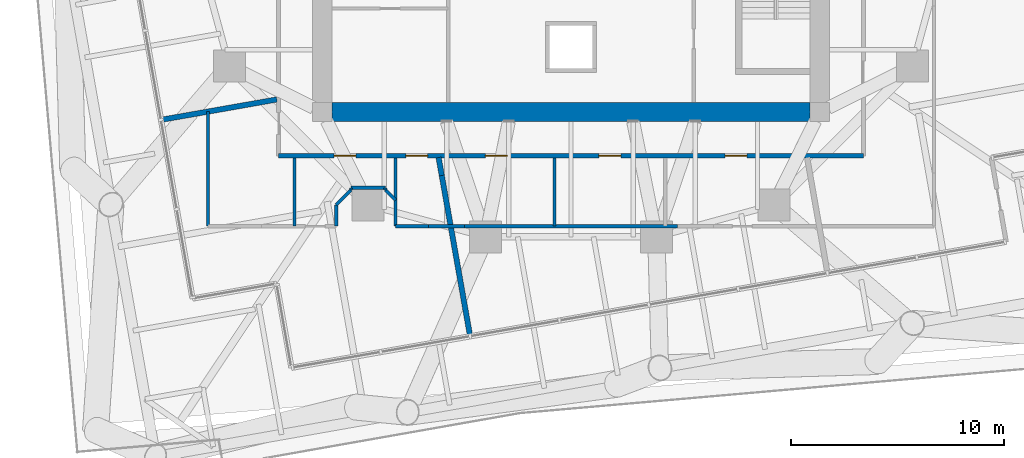
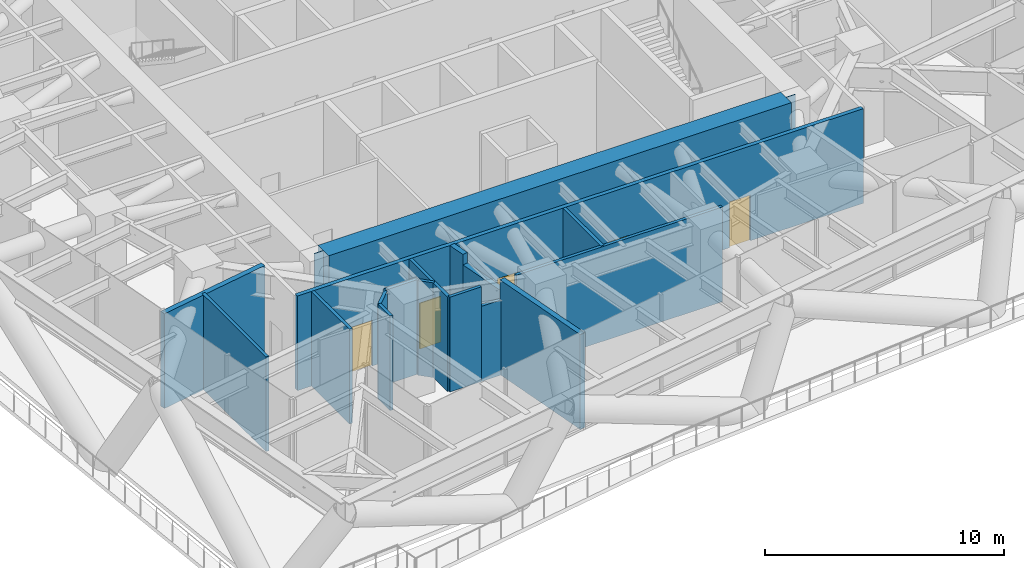
# One storey, part 9 of 15: 19 walls, 5 doors, 5 openings.
"""IFC4 building model written with IfcOpenShell, lengths in metres."""

from ifc_helpers import new_model, si_unit, direction, frame, frame_2d, origin, place, context, subcontext, project, spatial, polyline, rectangle, outline, extrude, material, layer, layer_set, type_object, element, fill, save


model = new_model("IFC4")

# Units and contexts
model_context = context("Model", 3, precision=1e-05, world=origin(), true_north=direction((0.0, 1.0)))
body_context = subcontext(model_context, "Body", "Model", "MODEL_VIEW")
ifc_project = project(units=[si_unit("LENGTHUNIT", "METRE"), si_unit("AREAUNIT", "SQUARE_METRE"), si_unit("VOLUMEUNIT", "CUBIC_METRE"), si_unit("PLANEANGLEUNIT", "RADIAN"), si_unit("MASSUNIT", "GRAM", prefix="KILO")], contexts=[model_context])

# Site, building, storey
site_placement = place(None, origin())
site = spatial("IfcSite", under=ifc_project, at=site_placement, CompositionType="ELEMENT")
building_placement = place(site_placement, origin())
building = spatial("IfcBuilding", under=site, at=building_placement, Name="Torsade Residences", CompositionType="ELEMENT")
storey_placement = place(building_placement, frame((0.0, 0.0, 74.39990234375)))
storey = spatial("IfcBuildingStorey", under=building, at=storey_placement, Name="L20", CompositionType="ELEMENT", Elevation=74.39990234375)

# Wall
ifc_material_1 = material(Name="Concrete 80 MPa", Category="concrete")
ifc_layer_1 = layer(ifc_material_1, 0.89990234375)
ifc_layer_set_1 = layer_set([ifc_layer_1], Name="Concrete 80 MPa")
wall_type_1 = type_object("IfcWallType", Name="CORE WALL 900", PredefinedType="SHEAR", material=ifc_layer_set_1)
wall_1_placement = place(storey_placement, frame((51.199951171875, 18.35009765625, 0.0), z_axis=(0.0, 0.0, 1.0), x_axis=(-1.0, 0.0, 0.0)))
element("IfcWall", 1, at=wall_1_placement, inside=storey, type_object=wall_type_1, Name="Core wall S L20", PredefinedType="SHEAR", context=body_context, shape_type="SweptSolid", body=[
    extrude(outline(polyline([(0.0, -0.449951171875), (22.39990234375, -0.449951171875), (22.39990234375, -0.02490234375), (22.849853515625, -0.02490234375), (22.849853515625, 0.02490234375), (22.39990234375, 0.02490234375), (22.39990234375, 0.449951171875), (0.0, 0.449951171875), (0.0, 0.02490234375), (-0.449951171875, 0.02490234375), (-0.449951171875, -0.02490234375), (0.0, -0.02490234375), (0.0, -0.449951171875)])), origin(), (0.0, 0.0, 1.0), 5.0),
])

# Wall, openings, doors
ifc_material_2 = material(Name="Plasterboard on steel stud", Category="steel")
ifc_layer_2 = layer(ifc_material_2, 0.199951171875)
ifc_layer_set_2 = layer_set([ifc_layer_2], Name="Plasterboard on steel stud")
wall_type_2 = type_object("IfcWallType", Name="CORRIDOR WALL 200", PredefinedType="PARTITIONING", material=ifc_layer_set_2)
wall_2_placement = place(storey_placement, frame((26.300048828125, 16.300048828125, 0.0), z_axis=(0.0, 0.0, 1.0), x_axis=(1.0, 0.0, 0.0)))
wall_2 = element("IfcWall", 2, at=wall_2_placement, inside=storey, type_object=wall_type_2, Name="Corridor wall L20", PredefinedType="PARTITIONING", context=body_context, shape_type="SweptSolid", body=[
    extrude(rectangle(XDim=27.39990234375, YDim=0.199951171875, at=frame_2d((13.699951171875, 0.0))), origin(), (0.0, 0.0, 1.0), 4.85009765625),
])
opening_1_placement = place(wall_2_placement, frame((20.91552734375, 0.0, 0.0)))
opening_1 = element("IfcOpeningElement", 3, at=opening_1_placement, cuts=wall_2, Name="Opening D01", PredefinedType="OPENING", context=body_context, shape_type="SweptSolid", body=[
    extrude(rectangle(XDim=1.02001953125, YDim=2.340087890625, at=frame_2d((0.510009765625, 1.169921875))), frame((0.0, 0.10986328125, 0.0), z_axis=(0.0, -1.0, 0.0), x_axis=(1.0, 0.0, 0.0)), (0.0, 0.0, 1.0), 0.219970703125),
])
opening_2_placement = place(wall_2_placement, frame((9.683837890625, 0.0, 0.0)))
opening_2 = element("IfcOpeningElement", 4, at=opening_2_placement, cuts=wall_2, Name="Opening D01", PredefinedType="OPENING", context=body_context, shape_type="SweptSolid", body=[
    extrude(rectangle(XDim=1.02001953125, YDim=2.340087890625, at=frame_2d((0.510009765625, 1.169921875))), frame((0.0, 0.10986328125, 0.0), z_axis=(0.0, -1.0, 0.0), x_axis=(1.0, 0.0, 0.0)), (0.0, 0.0, 1.0), 0.219970703125),
])
opening_3_placement = place(wall_2_placement, frame((15.01123046875, 0.0, 0.0)))
opening_3 = element("IfcOpeningElement", 5, at=opening_3_placement, cuts=wall_2, Name="Opening D01", PredefinedType="OPENING", context=body_context, shape_type="SweptSolid", body=[
    extrude(rectangle(XDim=1.02001953125, YDim=2.340087890625, at=frame_2d((0.510009765625, 1.169921875))), frame((0.0, 0.10986328125, 0.0), z_axis=(0.0, -1.0, 0.0), x_axis=(1.0, 0.0, 0.0)), (0.0, 0.0, 1.0), 0.219970703125),
])
opening_4_placement = place(wall_2_placement, frame((2.60400390625, 0.0, 0.0)))
opening_4 = element("IfcOpeningElement", 6, at=opening_4_placement, cuts=wall_2, Name="Opening D01", PredefinedType="OPENING", context=body_context, shape_type="SweptSolid", body=[
    extrude(rectangle(XDim=1.02001953125, YDim=2.340087890625, at=frame_2d((0.510009765625, 1.169921875))), frame((0.0, 0.10986328125, 0.0), z_axis=(0.0, -1.0, 0.0), x_axis=(1.0, 0.0, 0.0)), (0.0, 0.0, 1.0), 0.219970703125),
])
opening_5_placement = place(wall_2_placement, frame((5.9677734375, 0.0, 0.0)))
opening_5 = element("IfcOpeningElement", 7, at=opening_5_placement, cuts=wall_2, Name="Opening D01", PredefinedType="OPENING", context=body_context, shape_type="SweptSolid", body=[
    extrude(rectangle(XDim=1.02001953125, YDim=2.340087890625, at=frame_2d((0.510009765625, 1.169921875))), frame((0.0, 0.10986328125, 0.0), z_axis=(0.0, -1.0, 0.0), x_axis=(1.0, 0.0, 0.0)), (0.0, 0.0, 1.0), 0.219970703125),
])
ifc_material_3 = material(Name="Solid-core timber fire door", Category="wood")
door_type = type_object("IfcDoorType", Name="APARTMENT ENTRY DOOR 1020x2340", OperationType="NOTDEFINED", PredefinedType="DOOR", material=ifc_material_3)
door_1_placement = place(opening_1_placement, origin())
door_1 = element("IfcDoor", 8, at=door_1_placement, inside=storey, type_object=door_type, Name="Door Plant corridor to Service lobby", OperationType="SINGLE_SWING_RIGHT", OverallHeight=2.340087890625, OverallWidth=1.02001953125, PredefinedType="DOOR", context=body_context, shape_type="SweptSolid", body=[
    extrude(rectangle(XDim=1.02001953125, YDim=2.340087890625, at=frame_2d((0.510009765625, 1.169921875))), frame((0.0, 0.02490234375, 0.0), z_axis=(0.0, -1.0, 0.0), x_axis=(1.0, 0.0, 0.0)), (0.0, 0.0, 1.0), 0.050048828125),
])
fill(opening_1, door_1)
door_2_placement = place(opening_2_placement, origin())
door_2 = element("IfcDoor", 9, at=door_2_placement, inside=storey, type_object=door_type, Name="Door Plant corridor to Plant cupboard", OperationType="SINGLE_SWING_LEFT", OverallHeight=2.340087890625, OverallWidth=1.02001953125, PredefinedType="DOOR", context=body_context, shape_type="SweptSolid", body=[
    extrude(rectangle(XDim=1.02001953125, YDim=2.340087890625, at=frame_2d((0.510009765625, 1.169921875))), frame((0.0, 0.02490234375, 0.0), z_axis=(0.0, -1.0, 0.0), x_axis=(1.0, 0.0, 0.0)), (0.0, 0.0, 1.0), 0.050048828125),
])
fill(opening_2, door_2)
door_3_placement = place(opening_3_placement, origin())
door_3 = element("IfcDoor", 10, at=door_3_placement, inside=storey, type_object=door_type, Name="Door Plant corridor to Store", OperationType="SINGLE_SWING_RIGHT", OverallHeight=2.340087890625, OverallWidth=1.02001953125, PredefinedType="DOOR", context=body_context, shape_type="SweptSolid", body=[
    extrude(rectangle(XDim=1.02001953125, YDim=2.340087890625, at=frame_2d((0.510009765625, 1.169921875))), frame((0.0, 0.02490234375, 0.0), z_axis=(0.0, -1.0, 0.0), x_axis=(1.0, 0.0, 0.0)), (0.0, 0.0, 1.0), 0.050048828125),
])
fill(opening_3, door_3)
door_4_placement = place(opening_4_placement, origin())
door_4 = element("IfcDoor", 11, at=door_4_placement, inside=storey, type_object=door_type, Name="Door Plant corridor to Service lobby", OperationType="SINGLE_SWING_LEFT", OverallHeight=2.340087890625, OverallWidth=1.02001953125, PredefinedType="DOOR", context=body_context, shape_type="SweptSolid", body=[
    extrude(rectangle(XDim=1.02001953125, YDim=2.340087890625, at=frame_2d((0.510009765625, 1.169921875))), frame((0.0, 0.02490234375, 0.0), z_axis=(0.0, -1.0, 0.0), x_axis=(1.0, 0.0, 0.0)), (0.0, 0.0, 1.0), 0.050048828125),
])
fill(opening_4, door_4)
door_5_placement = place(opening_5_placement, origin())
door_5 = element("IfcDoor", 12, at=door_5_placement, inside=storey, type_object=door_type, Name="Door Plant corridor to Store", OperationType="SINGLE_SWING_RIGHT", OverallHeight=2.340087890625, OverallWidth=1.02001953125, PredefinedType="DOOR", context=body_context, shape_type="SweptSolid", body=[
    extrude(rectangle(XDim=1.02001953125, YDim=2.340087890625, at=frame_2d((0.510009765625, 1.169921875))), frame((0.0, 0.02490234375, 0.0), z_axis=(0.0, -1.0, 0.0), x_axis=(1.0, 0.0, 0.0)), (0.0, 0.0, 1.0), 0.050048828125),
])
fill(opening_5, door_5)

# Walls
ifc_material_4 = material(Name="Masonry-lined stud party wall", Category="masonry")
ifc_layer_3 = layer(ifc_material_4, 0.25)
ifc_layer_set_3 = layer_set([ifc_layer_3], Name="Masonry-lined stud party wall")
wall_type_3 = type_object("IfcWallType", Name="PARTY WALL 250", PredefinedType="PARTITIONING", material=ifc_layer_set_3)
wall_3_placement = place(storey_placement, frame((35.275634765625, 7.843017578125, 0.0), z_axis=(0.0, 0.0, 1.0), x_axis=(-0.173615529166, 0.984813509266, 0.0)))
element("IfcWall", 13, at=wall_3_placement, inside=storey, type_object=wall_type_3, Name="Party wall L20", PredefinedType="PARTITIONING", context=body_context, shape_type="SweptSolid", body=[
    extrude(rectangle(XDim=5.24951171875, YDim=0.25, at=frame_2d((2.624755859375, 0.0))), origin(), (0.0, 0.0, 1.0), 4.85009765625),
])
wall_4_placement = place(storey_placement, frame((34.3642578125, 13.0126953125, 0.0), z_axis=(0.0, 0.0, 1.0), x_axis=(-0.17362866226, 0.984811193906, 0.0)))
element("IfcWall", 14, at=wall_4_placement, inside=storey, type_object=wall_type_3, Name="Party wall L20", PredefinedType="PARTITIONING", context=body_context, shape_type="SweptSolid", body=[
    extrude(rectangle(XDim=2.400146484375, YDim=0.25, at=frame_2d((1.2001953125, 0.0))), origin(), (0.0, 0.0, 1.0), 4.322021484375),
])
wall_5_placement = place(storey_placement, frame((33.947509765625, 15.37646484375, 0.0), z_axis=(0.0, 0.0, 1.0), x_axis=(-0.173752728326, 0.984789312188, 0.0)))
element("IfcWall", 15, at=wall_5_placement, inside=storey, type_object=wall_type_3, Name="Party wall L20", PredefinedType="PARTITIONING", context=body_context, shape_type="SweptSolid", body=[
    extrude(rectangle(XDim=0.854248046875, YDim=0.25, at=frame_2d((0.42724609375, 0.0))), origin(), (0.0, 0.0, 1.0), 4.85009765625),
])
wall_6_placement = place(storey_placement, frame((20.795166015625, 17.982421875, 0.0), z_axis=(0.0, 0.0, 1.0), x_axis=(0.984803192417, 0.173674040102, 0.0)))
element("IfcWall", 16, at=wall_6_placement, inside=storey, type_object=wall_type_3, Name="Party wall L20", PredefinedType="PARTITIONING", context=body_context, shape_type="SweptSolid", body=[
    extrude(rectangle(XDim=5.50634765625, YDim=0.25, at=frame_2d((2.753173828125, 0.0))), origin(), (0.0, 0.0, 1.0), 4.85009765625),
])
ifc_material_5 = material(Name="Reinforced blockwork", Category="masonry")
ifc_layer_4 = layer(ifc_material_5, 0.14990234375)
ifc_layer_set_4 = layer_set([ifc_layer_4], Name="Reinforced blockwork")
wall_type_4 = type_object("IfcWallType", Name="SERVICE ROOM WALL 150", PredefinedType="SOLIDWALL", material=ifc_layer_set_4)
for number, where, z_axis, x_axis, name in (
    (17, (27.04296875, 13.0, 0.0), (0.0, 0.0, 1.0), (0.0, 1.0, 0.0), "Service room wall L20"),
    (18, (31.784912109375, 16.199951171875, 0.0), (0.0, 0.0, 1.0), (0.0, -1.0, 0.0), "Service room wall L20"),
):
    element("IfcWall", number, at=place(storey_placement, frame(where, z_axis=z_axis, x_axis=x_axis)), inside=storey, type_object=wall_type_4, Name=name, PredefinedType="SOLIDWALL", context=body_context, shape_type="SweptSolid", body=[
        extrude(rectangle(XDim=3.199951171875, YDim=0.14990234375, at=frame_2d((1.60009765625, 0.0))), origin(), (0.0, 0.0, 1.0), 4.85009765625),
    ])
wall_7_placement = place(storey_placement, frame((31.784912109375, 14.215087890625, 0.0), z_axis=(0.0, 0.0, 1.0), x_axis=(-0.707106781187, 0.707106781187, 0.0)))
element("IfcWall", 19, at=wall_7_placement, inside=storey, type_object=wall_type_4, Name="Service room wall L20", PredefinedType="SOLIDWALL", context=body_context, shape_type="SweptSolid", body=[
    extrude(rectangle(XDim=0.685791015625, YDim=0.14990234375, at=frame_2d((0.3427734375, 0.0))), origin(), (0.0, 0.0, 1.0), 4.85009765625),
])
wall_8_placement = place(storey_placement, frame((31.300048828125, 14.800048828125, 0.0), z_axis=(0.0, 0.0, 1.0), x_axis=(-1.0, 0.0, 0.0)))
element("IfcWall", 20, at=wall_8_placement, inside=storey, type_object=wall_type_4, Name="Service room wall L20", PredefinedType="SOLIDWALL", context=body_context, shape_type="SweptSolid", body=[
    extrude(rectangle(XDim=1.60009765625, YDim=0.14990234375, at=frame_2d((0.800048828125, 0.0))), origin(), (0.0, 0.0, 1.0), 4.85009765625),
])
wall_9_placement = place(storey_placement, frame((29.699951171875, 14.699951171875, 0.0), z_axis=(0.0, 0.0, 1.0), x_axis=(-0.707106781187, -0.707106781187, 0.0)))
element("IfcWall", 21, at=wall_9_placement, inside=storey, type_object=wall_type_4, Name="Service room wall L20", PredefinedType="SOLIDWALL", context=body_context, shape_type="SweptSolid", body=[
    extrude(rectangle(XDim=0.989990234375, YDim=0.14990234375, at=frame_2d((0.4951171875, 0.0))), origin(), (0.0, 0.0, 1.0), 4.85009765625),
])
wall_10_placement = place(storey_placement, frame((29.0, 14.0, 0.0), z_axis=(0.0, 0.0, 1.0), x_axis=(0.0, -1.0, 0.0)))
element("IfcWall", 22, at=wall_10_placement, inside=storey, type_object=wall_type_4, Name="Service room wall L20", PredefinedType="SOLIDWALL", context=body_context, shape_type="SweptSolid", body=[
    extrude(rectangle(XDim=1.0, YDim=0.14990234375, at=frame_2d((0.5, 0.0))), origin(), (0.0, 0.0, 1.0), 4.85009765625),
])
wall_11_placement = place(storey_placement, frame((23.0, 13.0, 0.0), z_axis=(0.0, 0.0, 1.0), x_axis=(0.0, 1.0, 0.0)))
element("IfcWall", 23, at=wall_11_placement, inside=storey, type_object=wall_type_4, Name="Service room wall L20", PredefinedType="SOLIDWALL", context=body_context, shape_type="SweptSolid", body=[
    extrude(rectangle(XDim=5.371337890625, YDim=0.14990234375, at=frame_2d((2.685546875, 0.0))), origin(), (0.0, 0.0, 1.0), 4.85009765625),
])
wall_12_placement = place(storey_placement, frame((44.98828125, 13.0, 0.0), z_axis=(0.0, 0.0, 1.0), x_axis=(-1.0, 0.0, 0.0)))
element("IfcWall", 24, at=wall_12_placement, inside=storey, type_object=wall_type_4, Name="Service room wall L20", PredefinedType="SOLIDWALL", context=body_context, shape_type="SweptSolid", body=[
    extrude(rectangle(XDim=9.9765625, YDim=0.14990234375, at=frame_2d((4.98828125, 0.0))), origin(), (0.0, 0.0, 1.0), 4.85009765625),
])
wall_13_placement = place(storey_placement, frame((35.01171875, 13.0, 0.0), z_axis=(0.0, 0.0, 1.0), x_axis=(-1.0, 0.0, 0.0)))
element("IfcWall", 25, at=wall_13_placement, inside=storey, type_object=wall_type_4, Name="Service room wall L20", PredefinedType="SOLIDWALL", context=body_context, shape_type="SweptSolid", body=[
    extrude(rectangle(XDim=1.690185546875, YDim=0.14990234375, at=frame_2d((0.84521484375, 0.0))), origin(), (0.0, 0.0, 1.0), 3.85009765625),
])
wall_14_placement = place(storey_placement, frame((33.321533203125, 13.0, 0.0), z_axis=(0.0, 0.0, 1.0), x_axis=(-1.0, 0.0, 0.0)))
element("IfcWall", 26, at=wall_14_placement, inside=storey, type_object=wall_type_4, Name="Service room wall L20", PredefinedType="SOLIDWALL", context=body_context, shape_type="SweptSolid", body=[
    extrude(rectangle(XDim=1.53662109375, YDim=0.14990234375, at=frame_2d((0.768310546875, 0.0))), origin(), (0.0, 0.0, 1.0), 4.85009765625),
])
wall_15_placement = place(storey_placement, frame((39.224609375, 16.199951171875, 0.0), z_axis=(0.0, 0.0, 1.0), x_axis=(0.0, -1.0, 0.0)))
element("IfcWall", 27, at=wall_15_placement, inside=storey, type_object=wall_type_4, Name="Service room wall L20", PredefinedType="SOLIDWALL", context=body_context, shape_type="SweptSolid", body=[
    extrude(rectangle(XDim=3.199951171875, YDim=0.14990234375, at=frame_2d((1.60009765625, 0.0))), origin(), (0.0, 0.0, 1.0), 4.85009765625),
])
for number, where, z_axis, x_axis, name in (
    (28, (31.300048828125, 14.800048828125, 0.0), (0.0, 0.0, 1.0), (0.0, -1.0, 0.0), "Service room wall L20"),
    (29, (29.699951171875, 14.800048828125, 0.0), (0.0, 0.0, 1.0), (0.0, -1.0, 0.0), "Service room wall L20"),
):
    element("IfcWall", number, at=place(storey_placement, frame(where, z_axis=z_axis, x_axis=x_axis)), inside=storey, type_object=wall_type_4, Name=name, PredefinedType="SOLIDWALL", context=body_context, shape_type="SweptSolid", body=[
        extrude(rectangle(XDim=0.10009765625, YDim=0.14990234375, at=frame_2d((0.050048828125, 0.0))), origin(), (0.0, 0.0, 1.0), 4.85009765625),
    ])

save(model, "model.ifc")
